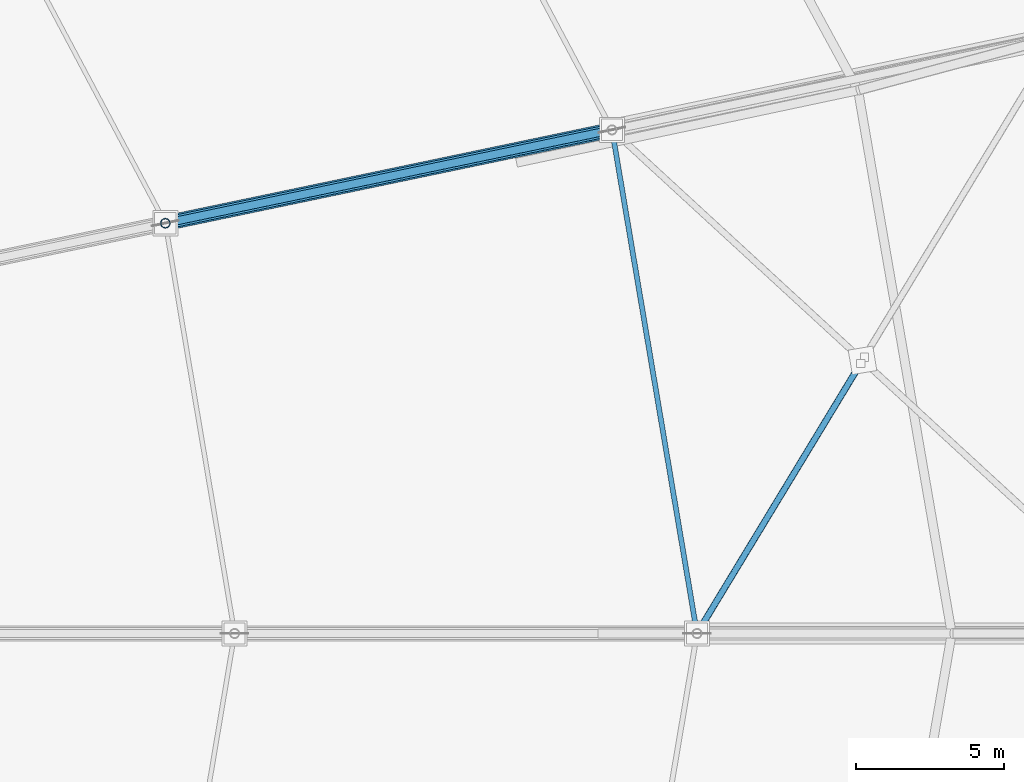
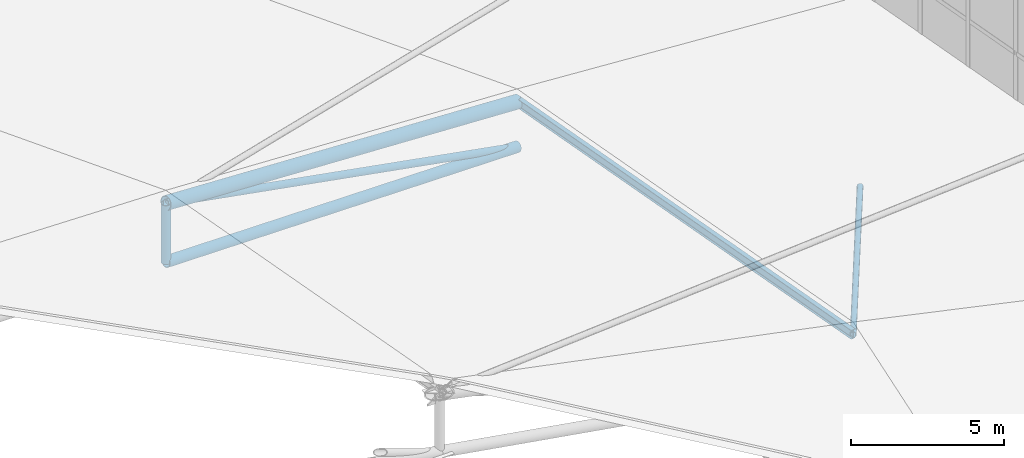
# One storey, part 52 of 115: 6 members.
"""IFC4 building model written with IfcOpenShell, lengths in metres."""

from ifc_helpers import new_model, si_unit, direction, frame, origin, origin_2d, place, context, subcontext, project, spatial, hollow_circle, i_section, extrude, material, material_profile, profile_set, type_object, element, save


model = new_model("IFC4")

# Units and contexts
model_context = context("Model", 3, precision=1e-05, world=origin(), true_north=direction((0.0, 1.0)))
body_context = subcontext(model_context, "Body", "Model", "MODEL_VIEW")
ifc_project = project(units=[si_unit("LENGTHUNIT", "METRE"), si_unit("AREAUNIT", "SQUARE_METRE"), si_unit("VOLUMEUNIT", "CUBIC_METRE"), si_unit("PLANEANGLEUNIT", "RADIAN"), si_unit("MASSUNIT", "GRAM", prefix="KILO")], contexts=[model_context])

# Site, building, storey
site_placement = place(None, origin())
site = spatial("IfcSite", under=ifc_project, at=site_placement, CompositionType="ELEMENT")
building_placement = place(site_placement, origin())
building = spatial("IfcBuilding", under=site, at=building_placement, Name="Zlatoyarsky Gate Stadium", CompositionType="ELEMENT")
storey_placement = place(building_placement, frame((0.0, 0.0, 31.800048828125)))
storey = spatial("IfcBuildingStorey", under=building, at=storey_placement, Name="RF", CompositionType="ELEMENT", Elevation=31.800048828125)

# Members
ifc_material = material(Name="Steel S355", Category="steel")
ifc_material_profile_1 = material_profile(ifc_material, hollow_circle(Radius=0.203125, WallThickness=0.02001953125, at=origin_2d()), Name="CHS 406.4X20")
ifc_profile_set_1 = profile_set([ifc_material_profile_1], Name="Steel S355")
member_type_1 = type_object("IfcMemberType", Name="STEEL ARCH INNER CHORD CHS 406.4X20", PredefinedType="CHORD", material=ifc_profile_set_1)
member_1_placement = place(storey_placement, frame((192.508056640625, 97.03662109375, 1.349853515625), z_axis=(-0.965249914484, -0.201764304536, 0.166083617508), x_axis=(0.204605938681, -0.978844425768, 0.0)))
element("IfcMember", 1, at=member_1_placement, inside=storey, type_object=member_type_1, Name="Radial truss R02 bottom chord 2", PredefinedType="CHORD", context=body_context, shape_type="SweptSolid", body=[
    extrude(hollow_circle(Radius=0.203125, WallThickness=0.02001953125, at=origin_2d()), origin(), (0.0, 0.0, 1.0), 15.6552734375),
])
ifc_material_profile_2 = material_profile(ifc_material, hollow_circle(Radius=0.25390625, WallThickness=0.02490234375, at=origin_2d()), Name="CHS 508X25")
ifc_profile_set_2 = profile_set([ifc_material_profile_2], Name="Steel S355")
member_type_2 = type_object("IfcMemberType", Name="STEEL ARCH TOP CHORD CHS 508X25", PredefinedType="CHORD", material=ifc_profile_set_2)
member_2_placement = place(storey_placement, frame((192.508056640625, 97.03662109375, 3.14990234375), z_axis=(-0.959081226952, -0.200474875829, 0.199932549298), x_axis=(0.204605938681, -0.978844425768, 0.0)))
element("IfcMember", 2, at=member_2_placement, inside=storey, type_object=member_type_2, Name="Radial truss R02 top chord 2", PredefinedType="CHORD", context=body_context, shape_type="SweptSolid", body=[
    extrude(hollow_circle(Radius=0.25390625, WallThickness=0.02490234375, at=origin_2d()), origin(), (0.0, 0.0, 1.0), 15.756103515625),
])
ifc_material_profile_3 = material_profile(ifc_material, hollow_circle(Radius=0.109619140625, WallThickness=0.012451171875, at=origin_2d()), Name="CHS 219.1X12.5")
ifc_profile_set_3 = profile_set([ifc_material_profile_3], Name="Steel S355")
member_type_3 = type_object("IfcMemberType", Name="STEEL CANOPY WIND BRACE CHS 219.1X12.5", PredefinedType="BRACE", material=ifc_profile_set_3)
member_3_placement = place(storey_placement, frame((200.9189453125, 89.136474609375, 1.61181640625), z_axis=(-0.512902262312, -0.84653529869, 0.142510551846), x_axis=(0.855264744091, -0.518191294325, 0.0)))
element("IfcMember", 3, at=member_3_placement, inside=storey, type_object=member_type_3, Name="Roof wind X-brace split half-diagonal 00B", PredefinedType="BRACE", context=body_context, shape_type="SweptSolid", body=[
    extrude(hollow_circle(Radius=0.109619140625, WallThickness=0.012451171875, at=origin_2d()), origin(), (0.0, 0.0, 1.0), 10.792724609375),
])
ifc_material_profile_4 = material_profile(ifc_material, i_section(OverallWidth=0.169921875, OverallDepth=0.360107421875, WebThickness=0.008056640625, FlangeThickness=0.0126953125, FilletRadius=0.01806640625, at=origin_2d()), Name="IPE 360")
ifc_profile_set_4 = profile_set([ifc_material_profile_4], Name="Steel S355")
member_type_4 = type_object("IfcMemberType", Name="STEEL LONG SPAN PURLIN IPE 360", PredefinedType="PURLIN", material=ifc_profile_set_4)
member_4_placement = place(storey_placement, frame((195.38330078125, 80.0, 3.179931640625), z_axis=(-0.166415106853, 0.986055785547, 0.0), x_axis=(-0.986055785547, -0.166415106853, 0.0)))
element("IfcMember", 4, at=member_4_placement, inside=storey, type_object=member_type_4, Name="Stadium roof purlin 00.1", PredefinedType="PURLIN", context=body_context, shape_type="SweptSolid", body=[
    extrude(i_section(OverallWidth=0.169921875, OverallDepth=0.360107421875, WebThickness=0.008056640625, FlangeThickness=0.0126953125, FilletRadius=0.01806640625, at=origin_2d()), origin(), (0.0, 0.0, 1.0), 17.277587890625),
])
ifc_material_profile_5 = material_profile(ifc_material, hollow_circle(Radius=0.136474609375, WallThickness=0.01611328125, at=origin_2d()), Name="CHS 273X16")
ifc_profile_set_5 = profile_set([ifc_material_profile_5], Name="Steel S355")
member_type_5 = type_object("IfcMemberType", Name="STEEL ROOF TRUSS DIAGONAL CHS 273X16", PredefinedType="BRACE", material=ifc_profile_set_5)
member_5_placement = place(storey_placement, frame((192.508056640625, 97.03662109375, 1.349853515625), z_axis=(-0.932098612224, -0.194834752568, 0.305338494595), x_axis=(0.204605938681, -0.978844425768, 0.0)))
element("IfcMember", 5, at=member_5_placement, inside=storey, type_object=member_type_5, Name="Radial truss R02 web diagonal 2", PredefinedType="BRACE", context=body_context, shape_type="SweptSolid", body=[
    extrude(hollow_circle(Radius=0.136474609375, WallThickness=0.01611328125, at=origin_2d()), origin(), (0.0, 0.0, 1.0), 16.212158203125),
])
ifc_material_profile_6 = material_profile(ifc_material, hollow_circle(Radius=0.161865234375, WallThickness=0.01611328125, at=origin_2d()), Name="CHS 323.9X16")
ifc_profile_set_6 = profile_set([ifc_material_profile_6], Name="Steel S355")
member_type_6 = type_object("IfcMemberType", Name="STEEL TRUSS WEB STRUT CHS 323.9X16", PredefinedType="STRUT", material=ifc_profile_set_6)
member_6_placement = place(storey_placement, frame((177.396728515625, 93.8779296875, 3.949951171875), z_axis=(0.0, 0.0, 1.0), x_axis=(1.0, 0.0, 0.0)))
element("IfcMember", 6, at=member_6_placement, inside=storey, type_object=member_type_6, Name="Radial truss R02 web strut 2", PredefinedType="STRUT", context=body_context, shape_type="SweptSolid", body=[
    extrude(hollow_circle(Radius=0.161865234375, WallThickness=0.01611328125, at=origin_2d()), origin(), (0.0, 0.0, 1.0), 2.35009765625),
])

save(model, "model.ifc")
